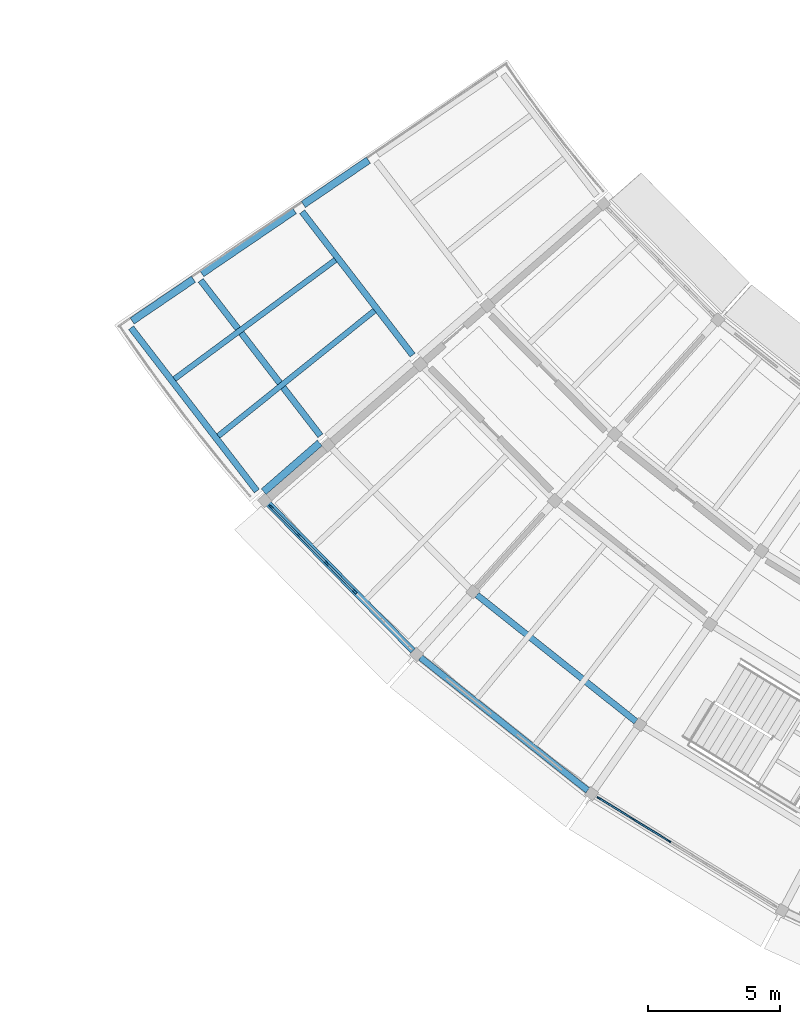
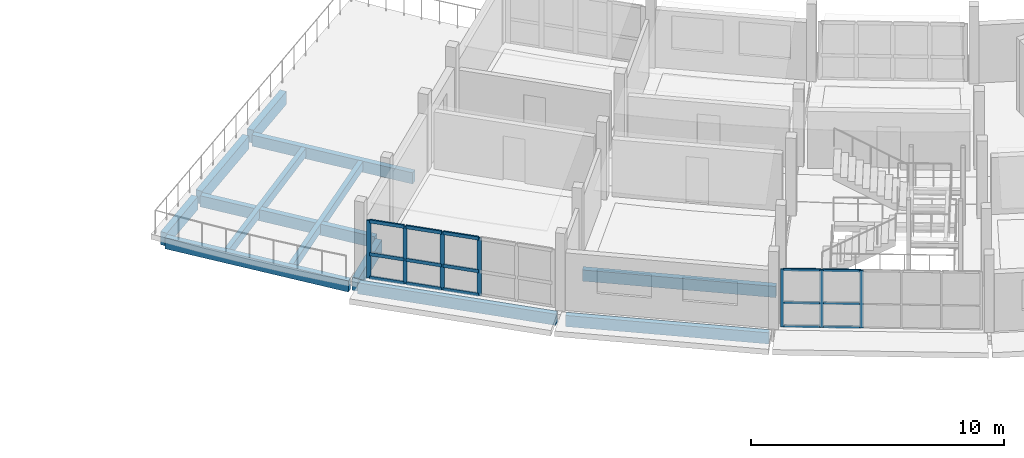
# One storey, part 17 of 66: 22 members, 12 beams, 2 elements without a shape of their own.
"""IFC4 building model written with IfcOpenShell, lengths in metres."""

from ifc_helpers import new_model, si_unit, direction, frame, origin, origin_2d, place, context, subcontext, project, spatial, rectangle, extrude, material, layer, layer_set, material_profile, profile_set, type_object, element, aggregate, save


model = new_model("IFC4")

# Units and contexts
model_context = context("Model", 3, precision=1e-05, world=origin(), true_north=direction((0.0, 1.0)))
body_context = subcontext(model_context, "Body", "Model", "MODEL_VIEW")
ifc_project = project(units=[si_unit("LENGTHUNIT", "METRE"), si_unit("AREAUNIT", "SQUARE_METRE"), si_unit("VOLUMEUNIT", "CUBIC_METRE"), si_unit("PLANEANGLEUNIT", "RADIAN"), si_unit("MASSUNIT", "GRAM", prefix="KILO")], contexts=[model_context])

# Site, building, storey
site_placement = place(None, origin())
site = spatial("IfcSite", under=ifc_project, at=site_placement, CompositionType="ELEMENT")
building_placement = place(site_placement, origin())
building = spatial("IfcBuilding", under=site, at=building_placement, Name="Caldaven Crescent School", CompositionType="ELEMENT")
storey_placement = place(building_placement, frame((0.0, 0.0, 8.159912109375)))
storey = spatial("IfcBuildingStorey", under=building, at=storey_placement, Name="L02", CompositionType="ELEMENT", Elevation=8.159912109375)

# Beams
ifc_material_1 = material(Name="Glulam MLE24h (GL28h)", Category="wood")
ifc_material_profile_1 = material_profile(ifc_material_1, rectangle(XDim=0.239990234375, YDim=0.5400390625, at=origin_2d()), Name="MLE 240x540")
ifc_profile_set_1 = profile_set([ifc_material_profile_1], Name="Glulam MLE24h (GL28h)")
beam_type_1 = type_object("IfcBeamType", Name="BM-GL54", PredefinedType="BEAM", material=ifc_profile_set_1)
beam_1_placement = place(storey_placement, frame((37.115234375, 61.1259765625, -0.52001953125), z_axis=(0.610409413831, -0.792086073294, 0.0), x_axis=(0.792086073294, 0.610409413831, 0.0)))
element("IfcBeam", 1, at=beam_1_placement, inside=storey, type_object=beam_type_1, Name="BMT-V4W-L02-1161", PredefinedType="BEAM", context=body_context, shape_type="SweptSolid", body=[
    extrude(rectangle(XDim=0.239990234375, YDim=0.5400390625, at=origin_2d()), origin(), (0.0, 0.0, 1.0), 6.870849609375),
])
beam_2_placement = place(storey_placement, frame((33.261962890625, 58.52197265625, -0.52001953125), z_axis=(0.610383651882, -0.792105925691, 0.0), x_axis=(0.792105925691, 0.610383651882, 0.0)))
element("IfcBeam", 2, at=beam_2_placement, inside=storey, type_object=beam_type_1, Name="BMT-V4W-L02-1162", PredefinedType="BEAM", context=body_context, shape_type="SweptSolid", body=[
    extrude(rectangle(XDim=0.239990234375, YDim=0.5400390625, at=origin_2d()), origin(), (0.0, 0.0, 1.0), 7.44970703125),
])
beam_3_placement = place(storey_placement, frame((43.751953125, 46.573974609375, -0.52001953125), z_axis=(0.782608756687, -0.622513882541, 0.0), x_axis=(0.622513882541, 0.782608756687, 0.0)))
element("IfcBeam", 3, at=beam_3_placement, inside=storey, type_object=beam_type_1, Name="BMT-V4W-L02-1180", PredefinedType="BEAM", context=body_context, shape_type="SweptSolid", body=[
    extrude(rectangle(XDim=0.239990234375, YDim=0.5400390625, at=origin_2d()), origin(), (0.0, 0.0, 1.0), 7.720947265625),
])
ifc_material_profile_2 = material_profile(ifc_material_1, rectangle(XDim=0.280029296875, YDim=0.6298828125, at=origin_2d()), Name="MLE 280x630")
ifc_profile_set_2 = profile_set([ifc_material_profile_2], Name="Glulam MLE24h (GL28h)")
beam_type_2 = type_object("IfcBeamType", Name="BM-GL63", PredefinedType="BEAM", material=ifc_profile_set_2)
beam_4_placement = place(storey_placement, frame((39.631591796875, 63.0859375, -0.56494140625), z_axis=(-0.826736616188, -0.562589164003, 0.0), x_axis=(0.562589164003, -0.826736616188, 0.0)))
element("IfcBeam", 4, at=beam_4_placement, inside=storey, type_object=beam_type_2, Name="BMR-V4W-L02-1136", PredefinedType="BEAM", context=body_context, shape_type="SweptSolid", body=[
    extrude(rectangle(XDim=0.280029296875, YDim=0.6298828125, at=origin_2d()), origin(), (0.0, 0.0, 1.0), 2.989990234375),
])
beam_5_placement = place(storey_placement, frame((36.82080078125, 61.173095703125, -0.56494140625), z_axis=(-0.826742902341, -0.562579926258, 0.0), x_axis=(0.562579926258, -0.826742902341, 0.0)))
element("IfcBeam", 5, at=beam_5_placement, inside=storey, type_object=beam_type_2, Name="BMR-V4W-L02-1137", PredefinedType="BEAM", context=body_context, shape_type="SweptSolid", body=[
    extrude(rectangle(XDim=0.280029296875, YDim=0.6298828125, at=origin_2d()), origin(), (0.0, 0.0, 1.0), 4.255126953125),
])
beam_6_placement = place(storey_placement, frame((32.98876953125, 58.5654296875, -0.56494140625), z_axis=(-0.826738047964, -0.562587059972, 0.0), x_axis=(0.562587059972, -0.826738047964, 0.0)))
element("IfcBeam", 6, at=beam_6_placement, inside=storey, type_object=beam_type_2, Name="BMR-V4W-L02-1138", PredefinedType="BEAM", context=body_context, shape_type="SweptSolid", body=[
    extrude(rectangle(XDim=0.280029296875, YDim=0.6298828125, at=origin_2d()), origin(), (0.0, 0.0, 1.0), 2.81982421875),
])
beam_7_placement = place(storey_placement, frame((37.78173828125, 52.345947265625, -0.56494140625), z_axis=(-0.754728516552, -0.656037244601, 0.0), x_axis=(0.656037244601, -0.754728516552, 0.0)))
element("IfcBeam", 7, at=beam_7_placement, inside=storey, type_object=beam_type_2, Name="BMR-V4W-L02-1142", PredefinedType="BEAM", context=body_context, shape_type="SweptSolid", body=[
    extrude(rectangle(XDim=0.280029296875, YDim=0.6298828125, at=origin_2d()), origin(), (0.0, 0.0, 1.0), 2.820068359375),
])

# Curtain wall, members
ifc_material_2 = material(Name="Anodised aluminium AA 6063-T6 and low-E double glazing", Category="aluminium")
ifc_layer_1 = layer(ifc_material_2, 0.2099609375)
ifc_layer_set_1 = layer_set([ifc_layer_1], Name="Anodised aluminium AA 6063-T6 and low-E double glazing")
curtain_wall_type_1 = type_object("IfcCurtainWallType", Name="CW-SYS3", PredefinedType="NOTDEFINED", material=ifc_layer_set_1)
curtain_wall_1_placement = place(storey_placement, origin())
curtain_wall_1 = element("IfcCurtainWall", 8, at=curtain_wall_1_placement, inside=storey, type_object=curtain_wall_type_1, Name="CW-L02-139", PredefinedType="NOTDEFINED")
ifc_material_3 = material(Name="Anodised aluminium AA 6063-T6", Category="aluminium")
ifc_material_profile_3 = material_profile(ifc_material_3, rectangle(XDim=0.06005859375, YDim=0.14990234375, at=origin_2d()), Name="CWM 60x150")
ifc_profile_set_3 = profile_set([ifc_material_profile_3], Name="Anodised aluminium AA 6063-T6")
member_type_1 = type_object("IfcMemberType", Name="CWM-T1", PredefinedType="MULLION", material=ifc_profile_set_3)
member_1_placement = place(storey_placement, frame((48.38916015625, 38.85546875, 0.0), z_axis=(0.0, 0.0, 1.0), x_axis=(0.522499361435, 0.852639676124, 0.0)))
member_1 = element("IfcMember", 9, at=member_1_placement, type_object=member_type_1, Name="CW3 mullion 1", PredefinedType="MULLION", context=body_context, shape_type="SweptSolid", body=[
    extrude(rectangle(XDim=0.06005859375, YDim=0.14990234375, at=origin_2d()), origin(), (0.0, 0.0, 1.0), 2.780029296875),
])
member_2_placement = place(storey_placement, frame((49.709228515625, 38.046630859375, 0.0), z_axis=(0.0, 0.0, 1.0), x_axis=(0.522499361435, 0.852639676124, 0.0)))
member_2 = element("IfcMember", 10, at=member_2_placement, type_object=member_type_1, Name="CW3 mullion 2", PredefinedType="MULLION", context=body_context, shape_type="SweptSolid", body=[
    extrude(rectangle(XDim=0.06005859375, YDim=0.14990234375, at=origin_2d()), origin(), (0.0, 0.0, 1.0), 2.780029296875),
])
member_3_placement = place(storey_placement, frame((51.05517578125, 37.221923828125, 0.0), z_axis=(0.0, 0.0, 1.0), x_axis=(0.522499361435, 0.852639676124, 0.0)))
member_3 = element("IfcMember", 11, at=member_3_placement, type_object=member_type_1, Name="CW3 mullion 3", PredefinedType="MULLION", context=body_context, shape_type="SweptSolid", body=[
    extrude(rectangle(XDim=0.06005859375, YDim=0.14990234375, at=origin_2d()), origin(), (0.0, 0.0, 1.0), 2.780029296875),
])

ifc_layer_2 = layer(ifc_material_2, 0.169921875)
ifc_layer_set_2 = layer_set([ifc_layer_2], Name="Anodised aluminium AA 6063-T6 and low-E double glazing")
curtain_wall_type_2 = type_object("IfcCurtainWallType", Name="CW-SYS1", PredefinedType="NOTDEFINED", material=ifc_layer_set_2)
curtain_wall_2_placement = place(storey_placement, origin())
curtain_wall_2 = element("IfcCurtainWall", 12, at=curtain_wall_2_placement, inside=storey, type_object=curtain_wall_type_2, Name="CW-L02-137", PredefinedType="NOTDEFINED")
ifc_material_profile_4 = material_profile(ifc_material_3, rectangle(XDim=0.06494140625, YDim=0.179931640625, at=origin_2d()), Name="CWM 65x180")
ifc_profile_set_4 = profile_set([ifc_material_profile_4], Name="Anodised aluminium AA 6063-T6")
member_type_2 = type_object("IfcMemberType", Name="CWM-T2", PredefinedType="MULLION", material=ifc_profile_set_4)
member_4_placement = place(storey_placement, frame((35.930908203125, 49.919677734375, 0.0), z_axis=(0.0, 0.0, 1.0), x_axis=(0.711812124706, 0.702369916156, 0.0)))
member_4 = element("IfcMember", 13, at=member_4_placement, type_object=member_type_2, Name="CW1 mullion 1", PredefinedType="MULLION", context=body_context, shape_type="SweptSolid", body=[
    extrude(rectangle(XDim=0.06494140625, YDim=0.179931640625, at=origin_2d()), origin(), (0.0, 0.0, 1.0), 2.780029296875),
])
member_5_placement = place(storey_placement, frame((36.976806640625, 48.85986328125, 0.0), z_axis=(0.0, 0.0, 1.0), x_axis=(0.711812124706, 0.702369916156, 0.0)))
member_5 = element("IfcMember", 14, at=member_5_placement, type_object=member_type_2, Name="CW1 mullion 2", PredefinedType="MULLION", context=body_context, shape_type="SweptSolid", body=[
    extrude(rectangle(XDim=0.06494140625, YDim=0.179931640625, at=origin_2d()), origin(), (0.0, 0.0, 1.0), 2.780029296875),
])
member_6_placement = place(storey_placement, frame((38.04541015625, 47.77685546875, 0.0), z_axis=(0.0, 0.0, 1.0), x_axis=(0.711812124706, 0.702369916156, 0.0)))
member_6 = element("IfcMember", 15, at=member_6_placement, type_object=member_type_2, Name="CW1 mullion 3", PredefinedType="MULLION", context=body_context, shape_type="SweptSolid", body=[
    extrude(rectangle(XDim=0.06494140625, YDim=0.179931640625, at=origin_2d()), origin(), (0.0, 0.0, 1.0), 2.780029296875),
])
member_7_placement = place(storey_placement, frame((39.114013671875, 46.69384765625, 0.0), z_axis=(0.0, 0.0, 1.0), x_axis=(0.711812124706, 0.702369916156, 0.0)))
member_7 = element("IfcMember", 16, at=member_7_placement, type_object=member_type_2, Name="CW1 mullion 4", PredefinedType="MULLION", context=body_context, shape_type="SweptSolid", body=[
    extrude(rectangle(XDim=0.06494140625, YDim=0.179931640625, at=origin_2d()), origin(), (0.0, 0.0, 1.0), 2.780029296875),
])

# Member
ifc_material_profile_5 = material_profile(ifc_material_3, rectangle(XDim=0.06005859375, YDim=0.1201171875, at=origin_2d()), Name="CWT 60x120")
ifc_profile_set_5 = profile_set([ifc_material_profile_5], Name="Anodised aluminium AA 6063-T6")
member_type_3 = type_object("IfcMemberType", Name="CWT-T1", PredefinedType="USERDEFINED", material=ifc_profile_set_5)
member_8_placement = place(storey_placement, frame((48.414794921875, 38.83984375, 0.030029296875), z_axis=(0.852664900426, -0.522458196971, 0.0), x_axis=(0.522458196971, 0.852664900426, 0.0)))
member_8 = element("IfcMember", 17, at=member_8_placement, type_object=member_type_3, Name="CW3 transom 1.1", ObjectType="TRANSOM", PredefinedType="USERDEFINED", context=body_context, shape_type="SweptSolid", body=[
    extrude(rectangle(XDim=0.06005859375, YDim=0.1201171875, at=origin_2d()), origin(), (0.0, 0.0, 1.0), 1.48828125),
])

member_9_placement = place(storey_placement, frame((48.414794921875, 38.83984375, 1.16796875), z_axis=(0.852664900426, -0.522458196971, 0.0), x_axis=(0.522458196971, 0.852664900426, 0.0)))
member_9 = element("IfcMember", 18, at=member_9_placement, type_object=member_type_3, Name="CW3 transom 1.2", ObjectType="TRANSOM", PredefinedType="USERDEFINED", context=body_context, shape_type="SweptSolid", body=[
    extrude(rectangle(XDim=0.06005859375, YDim=0.1201171875, at=origin_2d()), origin(), (0.0, 0.0, 1.0), 1.48828125),
])

member_10_placement = place(storey_placement, frame((48.414794921875, 38.83984375, 2.75), z_axis=(0.852664900426, -0.522458196971, 0.0), x_axis=(0.522458196971, 0.852664900426, 0.0)))
member_10 = element("IfcMember", 19, at=member_10_placement, type_object=member_type_3, Name="CW3 transom 1.3", ObjectType="TRANSOM", PredefinedType="USERDEFINED", context=body_context, shape_type="SweptSolid", body=[
    extrude(rectangle(XDim=0.06005859375, YDim=0.1201171875, at=origin_2d()), origin(), (0.0, 0.0, 1.0), 1.48828125),
])

member_11_placement = place(storey_placement, frame((49.73486328125, 38.03076171875, 0.030029296875), z_axis=(0.852689056605, -0.522418771433, 0.0), x_axis=(0.522418771433, 0.852689056605, 0.0)))
member_11 = element("IfcMember", 20, at=member_11_placement, type_object=member_type_3, Name="CW3 transom 2.1", ObjectType="TRANSOM", PredefinedType="USERDEFINED", context=body_context, shape_type="SweptSolid", body=[
    extrude(rectangle(XDim=0.06005859375, YDim=0.1201171875, at=origin_2d()), origin(), (0.0, 0.0, 1.0), 1.518310546875),
])

member_12_placement = place(storey_placement, frame((49.73486328125, 38.03076171875, 1.16796875), z_axis=(0.852689056605, -0.522418771433, 0.0), x_axis=(0.522418771433, 0.852689056605, 0.0)))
member_12 = element("IfcMember", 21, at=member_12_placement, type_object=member_type_3, Name="CW3 transom 2.2", ObjectType="TRANSOM", PredefinedType="USERDEFINED", context=body_context, shape_type="SweptSolid", body=[
    extrude(rectangle(XDim=0.06005859375, YDim=0.1201171875, at=origin_2d()), origin(), (0.0, 0.0, 1.0), 1.518310546875),
])

member_13_placement = place(storey_placement, frame((49.73486328125, 38.03076171875, 2.75), z_axis=(0.852689056605, -0.522418771433, 0.0), x_axis=(0.522418771433, 0.852689056605, 0.0)))
member_13 = element("IfcMember", 22, at=member_13_placement, type_object=member_type_3, Name="CW3 transom 2.3", ObjectType="TRANSOM", PredefinedType="USERDEFINED", context=body_context, shape_type="SweptSolid", body=[
    extrude(rectangle(XDim=0.06005859375, YDim=0.1201171875, at=origin_2d()), origin(), (0.0, 0.0, 1.0), 1.518310546875),
])

aggregate(curtain_wall_1, [member_1, member_2, member_3, member_8, member_9, member_10, member_11, member_12, member_13])

ifc_material_profile_6 = material_profile(ifc_material_3, rectangle(XDim=0.070068359375, YDim=0.159912109375, at=origin_2d()), Name="CWT 70x160")
ifc_profile_set_6 = profile_set([ifc_material_profile_6], Name="Anodised aluminium AA 6063-T6")
member_type_4 = type_object("IfcMemberType", Name="CWT-T3", PredefinedType="USERDEFINED", material=ifc_profile_set_6)
member_14_placement = place(storey_placement, frame((35.953857421875, 49.896484375, 0.03515625), z_axis=(0.702375401631, -0.711806711955, 0.0), x_axis=(0.711806711955, 0.702375401631, 0.0)))
member_14 = element("IfcMember", 23, at=member_14_placement, type_object=member_type_4, Name="CW1 transom 1.1", ObjectType="TRANSOM", PredefinedType="USERDEFINED", context=body_context, shape_type="SweptSolid", body=[
    extrude(rectangle(XDim=0.070068359375, YDim=0.159912109375, at=origin_2d()), origin(), (0.0, 0.0, 1.0), 1.423828125),
])

member_15_placement = place(storey_placement, frame((35.953857421875, 49.896484375, 1.16796875), z_axis=(0.702375401631, -0.711806711955, 0.0), x_axis=(0.711806711955, 0.702375401631, 0.0)))
member_15 = element("IfcMember", 24, at=member_15_placement, type_object=member_type_4, Name="CW1 transom 1.2", ObjectType="TRANSOM", PredefinedType="USERDEFINED", context=body_context, shape_type="SweptSolid", body=[
    extrude(rectangle(XDim=0.070068359375, YDim=0.159912109375, at=origin_2d()), origin(), (0.0, 0.0, 1.0), 1.423828125),
])

member_16_placement = place(storey_placement, frame((35.953857421875, 49.896484375, 2.7451171875), z_axis=(0.702375401631, -0.711806711955, 0.0), x_axis=(0.711806711955, 0.702375401631, 0.0)))
member_16 = element("IfcMember", 25, at=member_16_placement, type_object=member_type_4, Name="CW1 transom 1.3", ObjectType="TRANSOM", PredefinedType="USERDEFINED", context=body_context, shape_type="SweptSolid", body=[
    extrude(rectangle(XDim=0.070068359375, YDim=0.159912109375, at=origin_2d()), origin(), (0.0, 0.0, 1.0), 1.423828125),
])

member_17_placement = place(storey_placement, frame((36.99951171875, 48.836669921875, 0.03515625), z_axis=(0.702397377089, -0.711785026998, 0.0), x_axis=(0.711785026998, 0.702397377089, 0.0)))
member_17 = element("IfcMember", 26, at=member_17_placement, type_object=member_type_4, Name="CW1 transom 2.1", ObjectType="TRANSOM", PredefinedType="USERDEFINED", context=body_context, shape_type="SweptSolid", body=[
    extrude(rectangle(XDim=0.070068359375, YDim=0.159912109375, at=origin_2d()), origin(), (0.0, 0.0, 1.0), 1.456298828125),
])

member_18_placement = place(storey_placement, frame((36.99951171875, 48.836669921875, 1.16796875), z_axis=(0.702397377089, -0.711785026998, 0.0), x_axis=(0.711785026998, 0.702397377089, 0.0)))
member_18 = element("IfcMember", 27, at=member_18_placement, type_object=member_type_4, Name="CW1 transom 2.2", ObjectType="TRANSOM", PredefinedType="USERDEFINED", context=body_context, shape_type="SweptSolid", body=[
    extrude(rectangle(XDim=0.070068359375, YDim=0.159912109375, at=origin_2d()), origin(), (0.0, 0.0, 1.0), 1.456298828125),
])

member_19_placement = place(storey_placement, frame((36.99951171875, 48.836669921875, 2.7451171875), z_axis=(0.702397377089, -0.711785026998, 0.0), x_axis=(0.711785026998, 0.702397377089, 0.0)))
member_19 = element("IfcMember", 28, at=member_19_placement, type_object=member_type_4, Name="CW1 transom 2.3", ObjectType="TRANSOM", PredefinedType="USERDEFINED", context=body_context, shape_type="SweptSolid", body=[
    extrude(rectangle(XDim=0.070068359375, YDim=0.159912109375, at=origin_2d()), origin(), (0.0, 0.0, 1.0), 1.456298828125),
])

member_20_placement = place(storey_placement, frame((38.068115234375, 47.753662109375, 0.03515625), z_axis=(0.702397377089, -0.711785026998, 0.0), x_axis=(0.711785026998, 0.702397377089, 0.0)))
member_20 = element("IfcMember", 29, at=member_20_placement, type_object=member_type_4, Name="CW1 transom 3.1", ObjectType="TRANSOM", PredefinedType="USERDEFINED", context=body_context, shape_type="SweptSolid", body=[
    extrude(rectangle(XDim=0.070068359375, YDim=0.159912109375, at=origin_2d()), origin(), (0.0, 0.0, 1.0), 1.456298828125),
])

member_21_placement = place(storey_placement, frame((38.068115234375, 47.753662109375, 1.16796875), z_axis=(0.702397377089, -0.711785026998, 0.0), x_axis=(0.711785026998, 0.702397377089, 0.0)))
member_21 = element("IfcMember", 30, at=member_21_placement, type_object=member_type_4, Name="CW1 transom 3.2", ObjectType="TRANSOM", PredefinedType="USERDEFINED", context=body_context, shape_type="SweptSolid", body=[
    extrude(rectangle(XDim=0.070068359375, YDim=0.159912109375, at=origin_2d()), origin(), (0.0, 0.0, 1.0), 1.456298828125),
])

member_22_placement = place(storey_placement, frame((38.068115234375, 47.753662109375, 2.7451171875), z_axis=(0.702397377089, -0.711785026998, 0.0), x_axis=(0.711785026998, 0.702397377089, 0.0)))
member_22 = element("IfcMember", 31, at=member_22_placement, type_object=member_type_4, Name="CW1 transom 3.3", ObjectType="TRANSOM", PredefinedType="USERDEFINED", context=body_context, shape_type="SweptSolid", body=[
    extrude(rectangle(XDim=0.070068359375, YDim=0.159912109375, at=origin_2d()), origin(), (0.0, 0.0, 1.0), 1.456298828125),
])

aggregate(curtain_wall_2, [member_4, member_5, member_6, member_7, member_14, member_15, member_16, member_17, member_18, member_19, member_20, member_21, member_22])

# Beams
ifc_material_profile_7 = material_profile(ifc_material_1, rectangle(XDim=0.2099609375, YDim=0.419921875, at=origin_2d()), Name="MLE 210x420")
ifc_profile_set_7 = profile_set([ifc_material_profile_7], Name="Glulam MLE24h (GL28h)")
beam_type_3 = type_object("IfcBeamType", Name="JS-GL42", PredefinedType="JOIST", material=ifc_profile_set_7)
for number, where, z_axis, x_axis, name in (
    (32, (38.379150390625, 59.297607421875, -0.4599609375), (-0.803968012715, -0.594672543952, 0.0), (0.594672543952, -0.803968012715, 0.0), "JSR-V4W-L02-1165"),
    (33, (39.86328125, 57.37158203125, -0.4599609375), (-0.779931824174, -0.625864481849, 0.0), (0.625864481849, -0.779931824174, 0.0), "JSR-V4W-L02-1167"),
):
    element("IfcBeam", number, at=place(storey_placement, frame(where, z_axis=z_axis, x_axis=x_axis)), inside=storey, type_object=beam_type_3, Name=name, PredefinedType="JOIST", context=body_context, shape_type="SweptSolid", body=[
        extrude(rectangle(XDim=0.2099609375, YDim=0.419921875, at=origin_2d()), origin(), (0.0, 0.0, 1.0), 7.60791015625),
    ])
ifc_material_profile_8 = material_profile(ifc_material_1, rectangle(XDim=0.239990234375, YDim=0.5400390625, at=origin_2d()), Name="MLE 240x540")
ifc_profile_set_8 = profile_set([ifc_material_profile_8], Name="Glulam MLE24h (GL28h)")
beam_type_4 = type_object("IfcBeamType", Name="SP-GL54", PredefinedType="SPANDREL", material=ifc_profile_set_8)
beam_8_placement = place(storey_placement, frame((30.6162109375, 56.7216796875, -0.52001953125), z_axis=(0.610388833728, -0.79210193262, 0.0), x_axis=(0.79210193262, 0.610388833728, 0.0)))
element("IfcBeam", 34, at=beam_8_placement, inside=storey, type_object=beam_type_4, Name="BMT-V4W-L02-1163", PredefinedType="SPANDREL", context=body_context, shape_type="SweptSolid", body=[
    extrude(rectangle(XDim=0.239990234375, YDim=0.5400390625, at=origin_2d()), origin(), (0.0, 0.0, 1.0), 7.82763671875),
])
beam_9_placement = place(storey_placement, frame((35.64306640625, 50.235595703125, -0.52001953125), z_axis=(0.700910145606, -0.713249583096, 0.0), x_axis=(0.713249583096, 0.700910145606, 0.0)))
element("IfcBeam", 35, at=beam_9_placement, inside=storey, type_object=beam_type_4, Name="BMT-V4W-L02-1172", PredefinedType="SPANDREL", context=body_context, shape_type="SweptSolid", body=[
    extrude(rectangle(XDim=0.239990234375, YDim=0.5400390625, at=origin_2d()), origin(), (0.0, 0.0, 1.0), 8.112060546875),
])
beam_10_placement = place(storey_placement, frame((41.610595703125, 44.196044921875, -0.52001953125), z_axis=(0.782604053362, -0.622519795398, 0.0), x_axis=(0.622519795398, 0.782604053362, 0.0)))
element("IfcBeam", 36, at=beam_10_placement, inside=storey, type_object=beam_type_4, Name="BMT-V4W-L02-1181", PredefinedType="SPANDREL", context=body_context, shape_type="SweptSolid", body=[
    extrude(rectangle(XDim=0.239990234375, YDim=0.5400390625, at=origin_2d()), origin(), (0.0, 0.0, 1.0), 8.11181640625),
])

save(model, "model.ifc")
